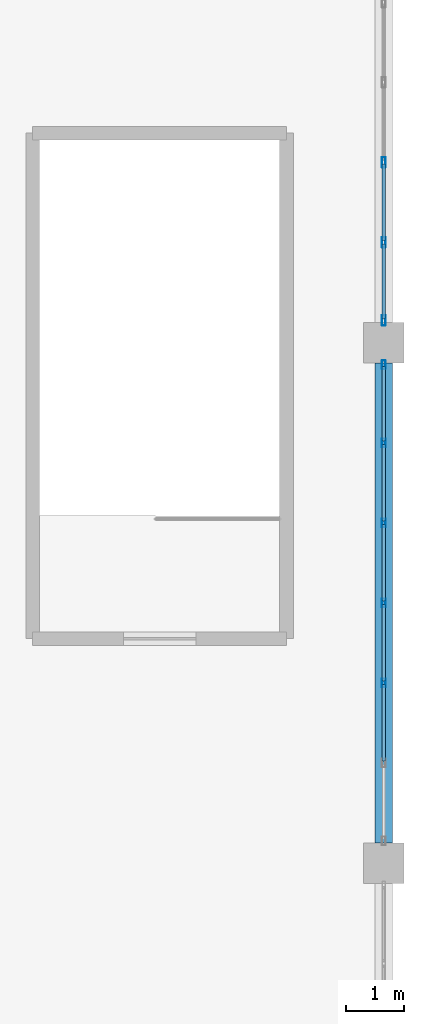
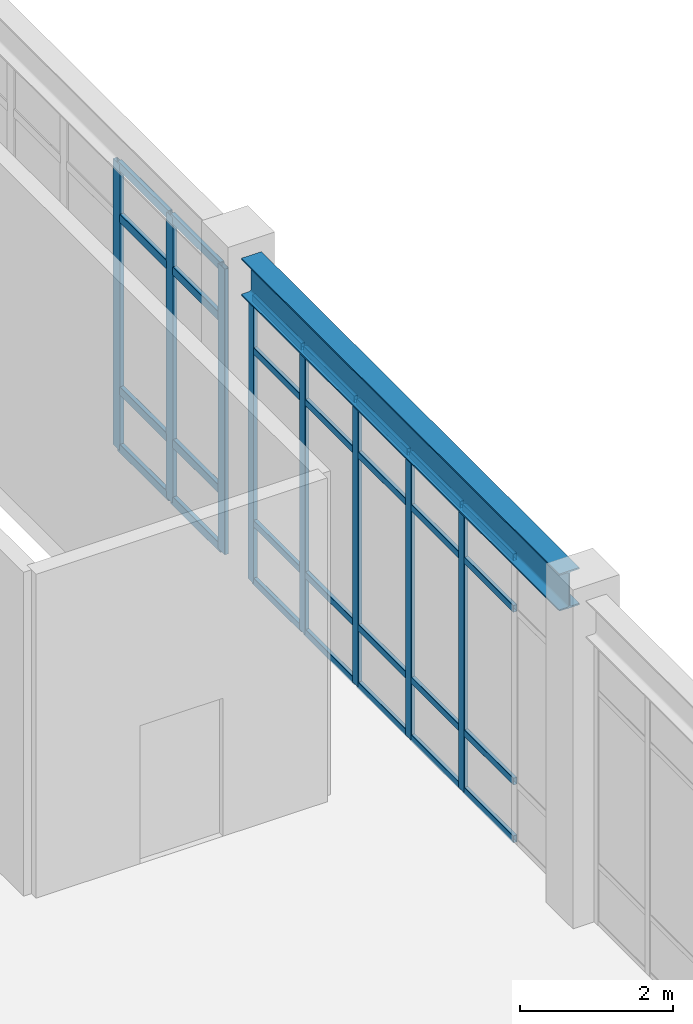
# One storey, part 49 of 80: 36 members, 1 beam, 2 elements without a shape of their own.
"""IFC4 building model written with IfcOpenShell, lengths in metres."""

import ifcopenshell
import ifcopenshell.guid

model = None  # the IFC model being written
_history = None  # IfcOwnerHistory: only IFC2X3 demands one
_inside = {}  # id of a spatial element -> (the spatial element, [elements in it])
_under = {}  # id of a project, library or spatial element -> (it, [spatial elements below it])
_declared = {}  # id of a project -> (the project, [libraries it declares])
_typed = {}  # id of a type object -> (the type object, [elements of that type])
_made_of = {}  # id of a material, layer set ... -> (it, [elements and type objects made of it])


def new_model(schema):
    """Start an empty IFC model of exactly this schema.

    Asked for "IFC4X3", IfcOpenShell would pick the latest addendum, in which some entities
    have other attributes; the version numbers below select the first issue.
    IFC2X3 requires an IfcOwnerHistory on every rooted entity: one is made here for all.
    """
    global model, _history
    if schema == "IFC4X3":
        model = ifcopenshell.file(schema_version=(4, 3, 0, 0))
    else:
        model = ifcopenshell.file(schema=schema)
    _inside.clear()
    _under.clear()
    _declared.clear()
    _typed.clear()
    _made_of.clear()
    _history = None
    if model.schema == "IFC2X3":
        org = make("IfcOrganization", Name="unknown")
        user = make(
            "IfcPersonAndOrganization",
            ThePerson=make("IfcPerson", FamilyName="unknown"),
            TheOrganization=org,
        )
        app = make(
            "IfcApplication",
            ApplicationDeveloper=org,
            Version="unknown",
            ApplicationFullName="unknown",
            ApplicationIdentifier="unknown",
        )
        _history = make(
            "IfcOwnerHistory",
            OwningUser=user,
            OwningApplication=app,
            ChangeAction="ADDED",
            CreationDate=0,
        )
    return model


def make(cls, **values):
    """One entity of the class cls with the attributes given. An attribute that is None is left unset."""
    return model.create_entity(
        cls, **{name: value for name, value in values.items() if value is not None}
    )


def rooted(cls, **values):
    """An entity with a GlobalId (a new one), such as an element, a storey or a relation."""
    return make(cls, GlobalId=ifcopenshell.guid.new(), OwnerHistory=_history, **values)


def si_unit(unit_type, name, prefix=None):
    """IfcSIUnit, for example si_unit("LENGTHUNIT", "METRE", prefix="MILLI")."""
    return make("IfcSIUnit", UnitType=unit_type, Prefix=prefix, Name=name)


def assignment(units):
    """IfcUnitAssignment: the units of a project."""
    return None if units is None else make("IfcUnitAssignment", Units=units)


def point(xyz):
    """IfcCartesianPoint."""
    return None if xyz is None else make("IfcCartesianPoint", Coordinates=xyz)


def direction(xyz):
    """IfcDirection."""
    return None if xyz is None else make("IfcDirection", DirectionRatios=xyz)


def frame(location, z_axis=None, x_axis=None):
    """IfcAxis2Placement3D, a coordinate frame: its origin and axes. An axis left out is left unset."""
    return make(
        "IfcAxis2Placement3D",
        Location=point(location),
        Axis=direction(z_axis),
        RefDirection=direction(x_axis),
    )


def frame_2d(location, x_axis=None):
    """IfcAxis2Placement2D, a coordinate frame in the plane: its origin and x axis."""
    return make(
        "IfcAxis2Placement2D", Location=point(location), RefDirection=direction(x_axis)
    )


def origin():
    """The frame at (0, 0, 0) with its axes left unset."""
    return frame((0.0, 0.0, 0.0))


def origin_2d():
    """The frame at (0, 0) in the plane with its x axis left unset."""
    return frame_2d((0.0, 0.0))


def place(relative_to, where):
    """IfcLocalPlacement: puts the frame where relative to a parent placement (None: the world)."""
    return make(
        "IfcLocalPlacement", PlacementRelTo=relative_to, RelativePlacement=where
    )


def context(
    kind, dimensions, precision=None, world=None, true_north=None, identifier=None
):
    """IfcGeometricRepresentationContext, for example the 3D "Model" context."""
    return make(
        "IfcGeometricRepresentationContext",
        ContextIdentifier=identifier,
        ContextType=kind,
        CoordinateSpaceDimension=dimensions,
        Precision=precision,
        WorldCoordinateSystem=world,
        TrueNorth=true_north,
    )


def subcontext(parent, identifier, kind, view, scale=None):
    """IfcGeometricRepresentationSubContext, for example "Body" below "Model"."""
    return make(
        "IfcGeometricRepresentationSubContext",
        ContextIdentifier=identifier,
        ContextType=kind,
        ParentContext=parent,
        TargetScale=scale,
        TargetView=view,
    )


def project(units=None, contexts=None):
    """IfcProject with its units and contexts."""
    return rooted(
        "IfcProject",
        Name="project",
        RepresentationContexts=contexts,
        UnitsInContext=assignment(units),
    )


def spatial(cls, under=None, at=None, **own):
    """A site, building, storey or space (cls), placed at a placement, below another one or the project."""
    s = rooted(cls, ObjectPlacement=at, **own)
    if under is not None:
        _under.setdefault(under.id(), (under, []))[1].append(s)
    return s


def profile(cls, at=None, kind="AREA", **sizes):
    """A parametric profile (cls). Its sizes go by their IFC names, for example OverallWidth=200.0."""
    return make(cls, ProfileType=kind, Position=at, **sizes)


def hollow_rectangle(**sizes):
    """IfcRectangleHollowProfileDef."""
    return profile("IfcRectangleHollowProfileDef", **sizes)


def i_section(**sizes):
    """IfcIShapeProfileDef."""
    return profile("IfcIShapeProfileDef", **sizes)


def extrude(swept, where, along, depth):
    """IfcExtrudedAreaSolid: the profile swept, set in the frame where, extruded along a direction by depth."""
    return make(
        "IfcExtrudedAreaSolid",
        SweptArea=swept,
        Position=where,
        ExtrudedDirection=direction(along),
        Depth=depth,
    )


def shape(context_of_items, identifier, shape_type, items):
    """IfcShapeRepresentation: the items that make up one representation, for example the "Body"."""
    return make(
        "IfcShapeRepresentation",
        ContextOfItems=context_of_items,
        RepresentationIdentifier=identifier,
        RepresentationType=shape_type,
        Items=items,
    )


def material(Name=None, Category=None):
    """IfcMaterial."""
    return make("IfcMaterial", Name=Name, Category=Category)


def material_profile(
    of_material, cross_section, Name=None, Category=None, Priority=None
):
    """IfcMaterialProfile: a cross section and its material."""
    return make(
        "IfcMaterialProfile",
        Name=Name,
        Material=of_material,
        Profile=cross_section,
        Priority=Priority,
        Category=Category,
    )


def profile_set(profiles, Name=None, composite=None):
    """IfcMaterialProfileSet."""
    return make(
        "IfcMaterialProfileSet",
        Name=Name,
        MaterialProfiles=profiles,
        CompositeProfile=composite,
    )


def made_of(thing, what):
    """Note that an element or type object is made of a material, layer set ...; save() writes the relation."""
    if what is not None:
        _made_of.setdefault(what.id(), (what, []))[1].append(thing)
    return thing


def type_object(cls, material=None, **own):
    """A type object (cls), such as IfcWallType, which elements share."""
    return made_of(rooted(cls, **own), material)


def element(
    cls,
    number,
    at=None,
    inside=None,
    cuts=None,
    type_object=None,
    material=None,
    context=None,
    identifier="Body",
    shape_type=None,
    held_by="IfcProductDefinitionShape",
    body=None,
    shapes=None,
    **own,
):
    """One element of the class cls, such as IfcWall. Its Tag is "e" and its number.

    at: its placement. inside: the storey or other place that contains it. cuts: it is an
    opening in that element (IfcRelVoidsElement). A single representation is given by context,
    identifier, shape_type and body (its items); several are given by shapes. held_by: the class
    of the entity that holds the representations. save() writes the other relations.
    """
    e = rooted(cls, Tag="e%d" % number, ObjectPlacement=at, **own)
    if body is not None:
        shapes = [shape(context, identifier, shape_type, body)]
    if shapes is not None:
        e.Representation = make(held_by, Representations=shapes)
    if inside is not None:
        _inside.setdefault(inside.id(), (inside, []))[1].append(e)
    if cuts is not None:
        rooted(
            "IfcRelVoidsElement", RelatingBuildingElement=cuts, RelatedOpeningElement=e
        )
    if type_object is not None:
        _typed.setdefault(type_object.id(), (type_object, []))[1].append(e)
    return made_of(e, material)


def aggregate(whole, parts):
    """IfcRelAggregates: a whole, such as a stair, and the parts it consists of."""
    return rooted("IfcRelAggregates", RelatingObject=whole, RelatedObjects=parts)


def save(model, path):
    """Write the relations noted so far, then the file.

    IfcRelAggregates (storeys below a building ...), IfcRelContainedInSpatialStructure (elements
    in a storey), IfcRelDefinesByType, IfcRelAssociatesMaterial and IfcRelDeclares: one each for
    every whole, place, type object, material and project.
    """
    for whole, parts in _under.values():
        aggregate(whole, parts)
    for where, things in _inside.values():
        rooted(
            "IfcRelContainedInSpatialStructure",
            RelatedElements=things,
            RelatingStructure=where,
        )
    for kind, things in _typed.values():
        rooted("IfcRelDefinesByType", RelatedObjects=things, RelatingType=kind)
    for what, things in _made_of.values():
        rooted("IfcRelAssociatesMaterial", RelatedObjects=things, RelatingMaterial=what)
    for by, libraries in _declared.values():
        rooted("IfcRelDeclares", RelatingContext=by, RelatedDefinitions=libraries)
    model.write(path)


model = new_model("IFC4")

# Units and contexts
model_context = context("Model", 3, precision=1e-05, world=origin(), true_north=direction((0.0, 1.0)))
body_context = subcontext(model_context, "Body", "Model", "MODEL_VIEW")
ifc_project = project(units=[si_unit("LENGTHUNIT", "METRE"), si_unit("AREAUNIT", "SQUARE_METRE"), si_unit("VOLUMEUNIT", "CUBIC_METRE"), si_unit("PLANEANGLEUNIT", "RADIAN"), si_unit("MASSUNIT", "GRAM", prefix="KILO")], contexts=[model_context])

# Site, building, storey
site_placement = place(None, origin())
site = spatial("IfcSite", under=ifc_project, at=site_placement, CompositionType="ELEMENT")
building_placement = place(site_placement, origin())
building = spatial("IfcBuilding", under=site, at=building_placement, Name="Canglan Escarpment Cableway Terminal", CompositionType="ELEMENT")
storey_placement = place(building_placement, frame((0.0, 0.0, 19.199951171875)))
storey = spatial("IfcBuildingStorey", under=building, at=storey_placement, Name="L04", CompositionType="ELEMENT", Elevation=19.199951171875)

# Beam
ifc_material_1 = material(Name="Steel Q355C", Category="steel")
ifc_material_profile_1 = material_profile(ifc_material_1, i_section(OverallWidth=0.302001953125, OverallDepth=0.593994140625, WebThickness=0.013916015625, FlangeThickness=0.02294921875, FilletRadius=0.028076171875, at=origin_2d()), Name="HM 594x302x14x23")
ifc_profile_set_1 = profile_set([ifc_material_profile_1], Name="Steel Q355C")
beam_type = type_object("IfcBeamType", Name="BM-HM594", PredefinedType="BEAM", material=ifc_profile_set_1)
beam_placement = place(storey_placement, frame((166.39990234375, 88.35009765625, 4.863037109375), z_axis=(0.0, 1.0, 0.0), x_axis=(-1.0, 0.0, 0.0)))
element("IfcBeam", 1, at=beam_placement, inside=storey, type_object=beam_type, Name="Primary transverse girder B-07", PredefinedType="BEAM", context=body_context, shape_type="SweptSolid", body=[
    extrude(i_section(OverallWidth=0.302001953125, OverallDepth=0.593994140625, WebThickness=0.013916015625, FlangeThickness=0.02294921875, FilletRadius=0.028076171875, at=origin_2d()), origin(), (0.0, 0.0, 1.0), 8.2998046875),
])

# Curtain wall, members
ifc_material_2 = material(Name="Anodized bronze aluminium and Low-E double glazing", Category="aluminium")
curtain_wall_type = type_object("IfcCurtainWallType", Name="CW-BAY-8300x4550", PredefinedType="NOTDEFINED", material=ifc_material_2)
curtain_wall_1_placement = place(storey_placement, origin())
curtain_wall_1 = element("IfcCurtainWall", 2, at=curtain_wall_1_placement, inside=storey, type_object=curtain_wall_type, Name="Classical bay-between-piers glazed curtain wall CW-64", PredefinedType="NOTDEFINED")
ifc_material_3 = material(Name="Thermally broken anodized aluminium 6063-T6", Category="aluminium")
ifc_material_profile_2 = material_profile(ifc_material_3, hollow_rectangle(XDim=0.06494140625, YDim=0.14990234375, WallThickness=0.00341796875, InnerFilletRadius=0.00341796875, OuterFilletRadius=0.007080078125, at=origin_2d()), Name="ALU-MULL 65x150x3.5")
ifc_profile_set_2 = profile_set([ifc_material_profile_2], Name="Thermally broken anodized aluminium 6063-T6")
member_type_1 = type_object("IfcMemberType", Name="CWM-02", PredefinedType="MULLION", material=ifc_profile_set_2)
member_1_placement = place(storey_placement, frame((166.39990234375, 91.11669921875, 0.0), z_axis=(0.0, 0.0, 1.0), x_axis=(-1.0, 0.0, 0.0)))
member_1 = element("IfcMember", 3, at=member_1_placement, type_object=member_type_1, Name="CW-64 mullion 3", PredefinedType="MULLION", context=body_context, shape_type="SweptSolid", body=[
    extrude(hollow_rectangle(XDim=0.06494140625, YDim=0.14990234375, WallThickness=0.00341796875, InnerFilletRadius=0.00341796875, OuterFilletRadius=0.007080078125, at=origin_2d()), origin(), (0.0, 0.0, 1.0), 4.551025390625),
])
member_2_placement = place(storey_placement, frame((166.39990234375, 92.5, 0.0), z_axis=(0.0, 0.0, 1.0), x_axis=(-1.0, 0.0, 0.0)))
member_2 = element("IfcMember", 4, at=member_2_placement, type_object=member_type_1, Name="CW-64 mullion 4", PredefinedType="MULLION", context=body_context, shape_type="SweptSolid", body=[
    extrude(hollow_rectangle(XDim=0.06494140625, YDim=0.14990234375, WallThickness=0.00341796875, InnerFilletRadius=0.00341796875, OuterFilletRadius=0.007080078125, at=origin_2d()), origin(), (0.0, 0.0, 1.0), 4.551025390625),
])
member_3_placement = place(storey_placement, frame((166.39990234375, 93.88330078125, 0.0), z_axis=(0.0, 0.0, 1.0), x_axis=(-1.0, 0.0, 0.0)))
member_3 = element("IfcMember", 5, at=member_3_placement, type_object=member_type_1, Name="CW-64 mullion 5", PredefinedType="MULLION", context=body_context, shape_type="SweptSolid", body=[
    extrude(hollow_rectangle(XDim=0.06494140625, YDim=0.14990234375, WallThickness=0.00341796875, InnerFilletRadius=0.00341796875, OuterFilletRadius=0.007080078125, at=origin_2d()), origin(), (0.0, 0.0, 1.0), 4.551025390625),
])
member_4_placement = place(storey_placement, frame((166.39990234375, 95.2666015625, 0.0), z_axis=(0.0, 0.0, 1.0), x_axis=(-1.0, 0.0, 0.0)))
member_4 = element("IfcMember", 6, at=member_4_placement, type_object=member_type_1, Name="CW-64 mullion 6", PredefinedType="MULLION", context=body_context, shape_type="SweptSolid", body=[
    extrude(hollow_rectangle(XDim=0.06494140625, YDim=0.14990234375, WallThickness=0.00341796875, InnerFilletRadius=0.00341796875, OuterFilletRadius=0.007080078125, at=origin_2d()), origin(), (0.0, 0.0, 1.0), 4.551025390625),
])
member_5_placement = place(storey_placement, frame((166.39990234375, 96.617431640625, 0.0), z_axis=(0.0, 0.0, 1.0), x_axis=(-1.0, 0.0, 0.0)))
member_5 = element("IfcMember", 7, at=member_5_placement, type_object=member_type_1, Name="CW-64 mullion 7", PredefinedType="MULLION", context=body_context, shape_type="SweptSolid", body=[
    extrude(hollow_rectangle(XDim=0.06494140625, YDim=0.14990234375, WallThickness=0.00341796875, InnerFilletRadius=0.00341796875, OuterFilletRadius=0.007080078125, at=origin_2d()), origin(), (0.0, 0.0, 1.0), 4.551025390625),
])

curtain_wall_2_placement = place(storey_placement, origin())
curtain_wall_2 = element("IfcCurtainWall", 8, at=curtain_wall_2_placement, inside=storey, type_object=curtain_wall_type, Name="Classical bay-between-piers glazed curtain wall CW-64", PredefinedType="NOTDEFINED")
ifc_material_profile_3 = material_profile(ifc_material_3, hollow_rectangle(XDim=0.06494140625, YDim=0.179931640625, WallThickness=0.00390625, InnerFilletRadius=0.00390625, OuterFilletRadius=0.008056640625, at=origin_2d()), Name="ALU-MULL 65x180x4")
ifc_profile_set_3 = profile_set([ifc_material_profile_3], Name="Thermally broken anodized aluminium 6063-T6")
member_type_2 = type_object("IfcMemberType", Name="CWM-03", PredefinedType="MULLION", material=ifc_profile_set_3)
member_6_placement = place(storey_placement, frame((166.39990234375, 97.382568359375, 0.0), z_axis=(0.0, 0.0, 1.0), x_axis=(-1.0, 0.0, 0.0)))
member_6 = element("IfcMember", 9, at=member_6_placement, type_object=member_type_2, Name="CW-64 mullion 1", PredefinedType="MULLION", context=body_context, shape_type="SweptSolid", body=[
    extrude(hollow_rectangle(XDim=0.06494140625, YDim=0.179931640625, WallThickness=0.00390625, InnerFilletRadius=0.00390625, OuterFilletRadius=0.008056640625, at=origin_2d()), origin(), (0.0, 0.0, 1.0), 4.551025390625),
])
member_7_placement = place(storey_placement, frame((166.39990234375, 98.7333984375, 0.0), z_axis=(0.0, 0.0, 1.0), x_axis=(-1.0, 0.0, 0.0)))
member_7 = element("IfcMember", 10, at=member_7_placement, type_object=member_type_2, Name="CW-64 mullion 2", PredefinedType="MULLION", context=body_context, shape_type="SweptSolid", body=[
    extrude(hollow_rectangle(XDim=0.06494140625, YDim=0.179931640625, WallThickness=0.00390625, InnerFilletRadius=0.00390625, OuterFilletRadius=0.008056640625, at=origin_2d()), origin(), (0.0, 0.0, 1.0), 4.551025390625),
])
member_8_placement = place(storey_placement, frame((166.39990234375, 100.11669921875, 0.0), z_axis=(0.0, 0.0, 1.0), x_axis=(-1.0, 0.0, 0.0)))
member_8 = element("IfcMember", 11, at=member_8_placement, type_object=member_type_2, Name="CW-64 mullion 3", PredefinedType="MULLION", context=body_context, shape_type="SweptSolid", body=[
    extrude(hollow_rectangle(XDim=0.06494140625, YDim=0.179931640625, WallThickness=0.00390625, InnerFilletRadius=0.00390625, OuterFilletRadius=0.008056640625, at=origin_2d()), origin(), (0.0, 0.0, 1.0), 4.551025390625),
])

# Member
ifc_material_profile_4 = material_profile(ifc_material_3, hollow_rectangle(XDim=0.06005859375, YDim=0.110107421875, WallThickness=0.0029296875, InnerFilletRadius=0.0029296875, OuterFilletRadius=0.006103515625, at=origin_2d()), Name="ALU-TRAN 60x110x3")
ifc_profile_set_4 = profile_set([ifc_material_profile_4], Name="Thermally broken anodized aluminium 6063-T6")
member_type_3 = type_object("IfcMemberType", Name="CWT-02", PredefinedType="USERDEFINED", material=ifc_profile_set_4)
member_9_placement = place(storey_placement, frame((166.39990234375, 89.765869140625, 0.030029296875), z_axis=(0.0, 1.0, 0.0), x_axis=(-1.0, 0.0, 0.0)))
member_9 = element("IfcMember", 12, at=member_9_placement, type_object=member_type_3, Name="CW-64 transom 2.1", ObjectType="TRANSOM", PredefinedType="USERDEFINED", context=body_context, shape_type="SweptSolid", body=[
    extrude(hollow_rectangle(XDim=0.06005859375, YDim=0.110107421875, WallThickness=0.0029296875, InnerFilletRadius=0.0029296875, OuterFilletRadius=0.006103515625, at=origin_2d()), origin(), (0.0, 0.0, 1.0), 1.318359375),
])

member_10_placement = place(storey_placement, frame((166.39990234375, 89.765869140625, 0.949951171875), z_axis=(0.0, 1.0, 0.0), x_axis=(-1.0, 0.0, 0.0)))
member_10 = element("IfcMember", 13, at=member_10_placement, type_object=member_type_3, Name="CW-64 transom 2.2", ObjectType="TRANSOM", PredefinedType="USERDEFINED", context=body_context, shape_type="SweptSolid", body=[
    extrude(hollow_rectangle(XDim=0.06005859375, YDim=0.110107421875, WallThickness=0.0029296875, InnerFilletRadius=0.0029296875, OuterFilletRadius=0.006103515625, at=origin_2d()), origin(), (0.0, 0.0, 1.0), 1.318359375),
])

member_11_placement = place(storey_placement, frame((166.39990234375, 89.765869140625, 3.700927734375), z_axis=(0.0, 1.0, 0.0), x_axis=(-1.0, 0.0, 0.0)))
member_11 = element("IfcMember", 14, at=member_11_placement, type_object=member_type_3, Name="CW-64 transom 2.3", ObjectType="TRANSOM", PredefinedType="USERDEFINED", context=body_context, shape_type="SweptSolid", body=[
    extrude(hollow_rectangle(XDim=0.06005859375, YDim=0.110107421875, WallThickness=0.0029296875, InnerFilletRadius=0.0029296875, OuterFilletRadius=0.006103515625, at=origin_2d()), origin(), (0.0, 0.0, 1.0), 1.318359375),
])

member_12_placement = place(storey_placement, frame((166.39990234375, 89.765869140625, 4.52099609375), z_axis=(0.0, 1.0, 0.0), x_axis=(-1.0, 0.0, 0.0)))
member_12 = element("IfcMember", 15, at=member_12_placement, type_object=member_type_3, Name="CW-64 transom 2.4", ObjectType="TRANSOM", PredefinedType="USERDEFINED", context=body_context, shape_type="SweptSolid", body=[
    extrude(hollow_rectangle(XDim=0.06005859375, YDim=0.110107421875, WallThickness=0.0029296875, InnerFilletRadius=0.0029296875, OuterFilletRadius=0.006103515625, at=origin_2d()), origin(), (0.0, 0.0, 1.0), 1.318359375),
])

member_13_placement = place(storey_placement, frame((166.39990234375, 91.149169921875, 0.030029296875), z_axis=(0.0, 1.0, 0.0), x_axis=(-1.0, 0.0, 0.0)))
member_13 = element("IfcMember", 16, at=member_13_placement, type_object=member_type_3, Name="CW-64 transom 3.1", ObjectType="TRANSOM", PredefinedType="USERDEFINED", context=body_context, shape_type="SweptSolid", body=[
    extrude(hollow_rectangle(XDim=0.06005859375, YDim=0.110107421875, WallThickness=0.0029296875, InnerFilletRadius=0.0029296875, OuterFilletRadius=0.006103515625, at=origin_2d()), origin(), (0.0, 0.0, 1.0), 1.318359375),
])

member_14_placement = place(storey_placement, frame((166.39990234375, 91.149169921875, 0.949951171875), z_axis=(0.0, 1.0, 0.0), x_axis=(-1.0, 0.0, 0.0)))
member_14 = element("IfcMember", 17, at=member_14_placement, type_object=member_type_3, Name="CW-64 transom 3.2", ObjectType="TRANSOM", PredefinedType="USERDEFINED", context=body_context, shape_type="SweptSolid", body=[
    extrude(hollow_rectangle(XDim=0.06005859375, YDim=0.110107421875, WallThickness=0.0029296875, InnerFilletRadius=0.0029296875, OuterFilletRadius=0.006103515625, at=origin_2d()), origin(), (0.0, 0.0, 1.0), 1.318359375),
])

member_15_placement = place(storey_placement, frame((166.39990234375, 91.149169921875, 3.700927734375), z_axis=(0.0, 1.0, 0.0), x_axis=(-1.0, 0.0, 0.0)))
member_15 = element("IfcMember", 18, at=member_15_placement, type_object=member_type_3, Name="CW-64 transom 3.3", ObjectType="TRANSOM", PredefinedType="USERDEFINED", context=body_context, shape_type="SweptSolid", body=[
    extrude(hollow_rectangle(XDim=0.06005859375, YDim=0.110107421875, WallThickness=0.0029296875, InnerFilletRadius=0.0029296875, OuterFilletRadius=0.006103515625, at=origin_2d()), origin(), (0.0, 0.0, 1.0), 1.318359375),
])

member_16_placement = place(storey_placement, frame((166.39990234375, 91.149169921875, 4.52099609375), z_axis=(0.0, 1.0, 0.0), x_axis=(-1.0, 0.0, 0.0)))
member_16 = element("IfcMember", 19, at=member_16_placement, type_object=member_type_3, Name="CW-64 transom 3.4", ObjectType="TRANSOM", PredefinedType="USERDEFINED", context=body_context, shape_type="SweptSolid", body=[
    extrude(hollow_rectangle(XDim=0.06005859375, YDim=0.110107421875, WallThickness=0.0029296875, InnerFilletRadius=0.0029296875, OuterFilletRadius=0.006103515625, at=origin_2d()), origin(), (0.0, 0.0, 1.0), 1.318359375),
])

member_17_placement = place(storey_placement, frame((166.39990234375, 92.532470703125, 0.030029296875), z_axis=(0.0, 1.0, 0.0), x_axis=(-1.0, 0.0, 0.0)))
member_17 = element("IfcMember", 20, at=member_17_placement, type_object=member_type_3, Name="CW-64 transom 4.1", ObjectType="TRANSOM", PredefinedType="USERDEFINED", context=body_context, shape_type="SweptSolid", body=[
    extrude(hollow_rectangle(XDim=0.06005859375, YDim=0.110107421875, WallThickness=0.0029296875, InnerFilletRadius=0.0029296875, OuterFilletRadius=0.006103515625, at=origin_2d()), origin(), (0.0, 0.0, 1.0), 1.318359375),
])

member_18_placement = place(storey_placement, frame((166.39990234375, 92.532470703125, 0.949951171875), z_axis=(0.0, 1.0, 0.0), x_axis=(-1.0, 0.0, 0.0)))
member_18 = element("IfcMember", 21, at=member_18_placement, type_object=member_type_3, Name="CW-64 transom 4.2", ObjectType="TRANSOM", PredefinedType="USERDEFINED", context=body_context, shape_type="SweptSolid", body=[
    extrude(hollow_rectangle(XDim=0.06005859375, YDim=0.110107421875, WallThickness=0.0029296875, InnerFilletRadius=0.0029296875, OuterFilletRadius=0.006103515625, at=origin_2d()), origin(), (0.0, 0.0, 1.0), 1.318359375),
])

member_19_placement = place(storey_placement, frame((166.39990234375, 92.532470703125, 3.700927734375), z_axis=(0.0, 1.0, 0.0), x_axis=(-1.0, 0.0, 0.0)))
member_19 = element("IfcMember", 22, at=member_19_placement, type_object=member_type_3, Name="CW-64 transom 4.3", ObjectType="TRANSOM", PredefinedType="USERDEFINED", context=body_context, shape_type="SweptSolid", body=[
    extrude(hollow_rectangle(XDim=0.06005859375, YDim=0.110107421875, WallThickness=0.0029296875, InnerFilletRadius=0.0029296875, OuterFilletRadius=0.006103515625, at=origin_2d()), origin(), (0.0, 0.0, 1.0), 1.318359375),
])

member_20_placement = place(storey_placement, frame((166.39990234375, 92.532470703125, 4.52099609375), z_axis=(0.0, 1.0, 0.0), x_axis=(-1.0, 0.0, 0.0)))
member_20 = element("IfcMember", 23, at=member_20_placement, type_object=member_type_3, Name="CW-64 transom 4.4", ObjectType="TRANSOM", PredefinedType="USERDEFINED", context=body_context, shape_type="SweptSolid", body=[
    extrude(hollow_rectangle(XDim=0.06005859375, YDim=0.110107421875, WallThickness=0.0029296875, InnerFilletRadius=0.0029296875, OuterFilletRadius=0.006103515625, at=origin_2d()), origin(), (0.0, 0.0, 1.0), 1.318359375),
])

member_21_placement = place(storey_placement, frame((166.39990234375, 93.915771484375, 0.030029296875), z_axis=(0.0, 1.0, 0.0), x_axis=(-1.0, 0.0, 0.0)))
member_21 = element("IfcMember", 24, at=member_21_placement, type_object=member_type_3, Name="CW-64 transom 5.1", ObjectType="TRANSOM", PredefinedType="USERDEFINED", context=body_context, shape_type="SweptSolid", body=[
    extrude(hollow_rectangle(XDim=0.06005859375, YDim=0.110107421875, WallThickness=0.0029296875, InnerFilletRadius=0.0029296875, OuterFilletRadius=0.006103515625, at=origin_2d()), origin(), (0.0, 0.0, 1.0), 1.318359375),
])

member_22_placement = place(storey_placement, frame((166.39990234375, 93.915771484375, 0.949951171875), z_axis=(0.0, 1.0, 0.0), x_axis=(-1.0, 0.0, 0.0)))
member_22 = element("IfcMember", 25, at=member_22_placement, type_object=member_type_3, Name="CW-64 transom 5.2", ObjectType="TRANSOM", PredefinedType="USERDEFINED", context=body_context, shape_type="SweptSolid", body=[
    extrude(hollow_rectangle(XDim=0.06005859375, YDim=0.110107421875, WallThickness=0.0029296875, InnerFilletRadius=0.0029296875, OuterFilletRadius=0.006103515625, at=origin_2d()), origin(), (0.0, 0.0, 1.0), 1.318359375),
])

member_23_placement = place(storey_placement, frame((166.39990234375, 93.915771484375, 3.700927734375), z_axis=(0.0, 1.0, 0.0), x_axis=(-1.0, 0.0, 0.0)))
member_23 = element("IfcMember", 26, at=member_23_placement, type_object=member_type_3, Name="CW-64 transom 5.3", ObjectType="TRANSOM", PredefinedType="USERDEFINED", context=body_context, shape_type="SweptSolid", body=[
    extrude(hollow_rectangle(XDim=0.06005859375, YDim=0.110107421875, WallThickness=0.0029296875, InnerFilletRadius=0.0029296875, OuterFilletRadius=0.006103515625, at=origin_2d()), origin(), (0.0, 0.0, 1.0), 1.318359375),
])

member_24_placement = place(storey_placement, frame((166.39990234375, 93.915771484375, 4.52099609375), z_axis=(0.0, 1.0, 0.0), x_axis=(-1.0, 0.0, 0.0)))
member_24 = element("IfcMember", 27, at=member_24_placement, type_object=member_type_3, Name="CW-64 transom 5.4", ObjectType="TRANSOM", PredefinedType="USERDEFINED", context=body_context, shape_type="SweptSolid", body=[
    extrude(hollow_rectangle(XDim=0.06005859375, YDim=0.110107421875, WallThickness=0.0029296875, InnerFilletRadius=0.0029296875, OuterFilletRadius=0.006103515625, at=origin_2d()), origin(), (0.0, 0.0, 1.0), 1.318359375),
])

member_25_placement = place(storey_placement, frame((166.39990234375, 95.299072265625, 0.030029296875), z_axis=(0.0, 1.0, 0.0), x_axis=(-1.0, 0.0, 0.0)))
member_25 = element("IfcMember", 28, at=member_25_placement, type_object=member_type_3, Name="CW-64 transom 6.1", ObjectType="TRANSOM", PredefinedType="USERDEFINED", context=body_context, shape_type="SweptSolid", body=[
    extrude(hollow_rectangle(XDim=0.06005859375, YDim=0.110107421875, WallThickness=0.0029296875, InnerFilletRadius=0.0029296875, OuterFilletRadius=0.006103515625, at=origin_2d()), origin(), (0.0, 0.0, 1.0), 1.285888671875),
])

member_26_placement = place(storey_placement, frame((166.39990234375, 95.299072265625, 0.949951171875), z_axis=(0.0, 1.0, 0.0), x_axis=(-1.0, 0.0, 0.0)))
member_26 = element("IfcMember", 29, at=member_26_placement, type_object=member_type_3, Name="CW-64 transom 6.2", ObjectType="TRANSOM", PredefinedType="USERDEFINED", context=body_context, shape_type="SweptSolid", body=[
    extrude(hollow_rectangle(XDim=0.06005859375, YDim=0.110107421875, WallThickness=0.0029296875, InnerFilletRadius=0.0029296875, OuterFilletRadius=0.006103515625, at=origin_2d()), origin(), (0.0, 0.0, 1.0), 1.285888671875),
])

member_27_placement = place(storey_placement, frame((166.39990234375, 95.299072265625, 3.700927734375), z_axis=(0.0, 1.0, 0.0), x_axis=(-1.0, 0.0, 0.0)))
member_27 = element("IfcMember", 30, at=member_27_placement, type_object=member_type_3, Name="CW-64 transom 6.3", ObjectType="TRANSOM", PredefinedType="USERDEFINED", context=body_context, shape_type="SweptSolid", body=[
    extrude(hollow_rectangle(XDim=0.06005859375, YDim=0.110107421875, WallThickness=0.0029296875, InnerFilletRadius=0.0029296875, OuterFilletRadius=0.006103515625, at=origin_2d()), origin(), (0.0, 0.0, 1.0), 1.285888671875),
])

member_28_placement = place(storey_placement, frame((166.39990234375, 95.299072265625, 4.52099609375), z_axis=(0.0, 1.0, 0.0), x_axis=(-1.0, 0.0, 0.0)))
member_28 = element("IfcMember", 31, at=member_28_placement, type_object=member_type_3, Name="CW-64 transom 6.4", ObjectType="TRANSOM", PredefinedType="USERDEFINED", context=body_context, shape_type="SweptSolid", body=[
    extrude(hollow_rectangle(XDim=0.06005859375, YDim=0.110107421875, WallThickness=0.0029296875, InnerFilletRadius=0.0029296875, OuterFilletRadius=0.006103515625, at=origin_2d()), origin(), (0.0, 0.0, 1.0), 1.285888671875),
])

aggregate(curtain_wall_1, [member_1, member_2, member_3, member_4, member_5, member_9, member_10, member_11, member_12, member_13, member_14, member_15, member_16, member_17, member_18, member_19, member_20, member_21, member_22, member_23, member_24, member_25, member_26, member_27, member_28])

ifc_material_profile_5 = material_profile(ifc_material_3, hollow_rectangle(XDim=0.06494140625, YDim=0.139892578125, WallThickness=0.00341796875, InnerFilletRadius=0.00341796875, OuterFilletRadius=0.007080078125, at=origin_2d()), Name="ALU-TRAN 65x140x3.5")
ifc_profile_set_5 = profile_set([ifc_material_profile_5], Name="Thermally broken anodized aluminium 6063-T6")
member_type_4 = type_object("IfcMemberType", Name="CWT-03", PredefinedType="USERDEFINED", material=ifc_profile_set_5)
member_29_placement = place(storey_placement, frame((166.39990234375, 97.4150390625, 0.032470703125), z_axis=(0.0, 1.0, 0.0), x_axis=(-1.0, 0.0, 0.0)))
member_29 = element("IfcMember", 32, at=member_29_placement, type_object=member_type_4, Name="CW-64 transom 1.1", ObjectType="TRANSOM", PredefinedType="USERDEFINED", context=body_context, shape_type="SweptSolid", body=[
    extrude(hollow_rectangle(XDim=0.06494140625, YDim=0.139892578125, WallThickness=0.00341796875, InnerFilletRadius=0.00341796875, OuterFilletRadius=0.007080078125, at=origin_2d()), origin(), (0.0, 0.0, 1.0), 1.285888671875),
])

member_30_placement = place(storey_placement, frame((166.39990234375, 97.4150390625, 0.949951171875), z_axis=(0.0, 1.0, 0.0), x_axis=(-1.0, 0.0, 0.0)))
member_30 = element("IfcMember", 33, at=member_30_placement, type_object=member_type_4, Name="CW-64 transom 1.2", ObjectType="TRANSOM", PredefinedType="USERDEFINED", context=body_context, shape_type="SweptSolid", body=[
    extrude(hollow_rectangle(XDim=0.06494140625, YDim=0.139892578125, WallThickness=0.00341796875, InnerFilletRadius=0.00341796875, OuterFilletRadius=0.007080078125, at=origin_2d()), origin(), (0.0, 0.0, 1.0), 1.285888671875),
])

member_31_placement = place(storey_placement, frame((166.39990234375, 97.4150390625, 3.700927734375), z_axis=(0.0, 1.0, 0.0), x_axis=(-1.0, 0.0, 0.0)))
member_31 = element("IfcMember", 34, at=member_31_placement, type_object=member_type_4, Name="CW-64 transom 1.3", ObjectType="TRANSOM", PredefinedType="USERDEFINED", context=body_context, shape_type="SweptSolid", body=[
    extrude(hollow_rectangle(XDim=0.06494140625, YDim=0.139892578125, WallThickness=0.00341796875, InnerFilletRadius=0.00341796875, OuterFilletRadius=0.007080078125, at=origin_2d()), origin(), (0.0, 0.0, 1.0), 1.285888671875),
])

member_32_placement = place(storey_placement, frame((166.39990234375, 97.4150390625, 4.5185546875), z_axis=(0.0, 1.0, 0.0), x_axis=(-1.0, 0.0, 0.0)))
member_32 = element("IfcMember", 35, at=member_32_placement, type_object=member_type_4, Name="CW-64 transom 1.4", ObjectType="TRANSOM", PredefinedType="USERDEFINED", context=body_context, shape_type="SweptSolid", body=[
    extrude(hollow_rectangle(XDim=0.06494140625, YDim=0.139892578125, WallThickness=0.00341796875, InnerFilletRadius=0.00341796875, OuterFilletRadius=0.007080078125, at=origin_2d()), origin(), (0.0, 0.0, 1.0), 1.285888671875),
])

member_33_placement = place(storey_placement, frame((166.39990234375, 98.765869140625, 0.032470703125), z_axis=(0.0, 1.0, 0.0), x_axis=(-1.0, 0.0, 0.0)))
member_33 = element("IfcMember", 36, at=member_33_placement, type_object=member_type_4, Name="CW-64 transom 2.1", ObjectType="TRANSOM", PredefinedType="USERDEFINED", context=body_context, shape_type="SweptSolid", body=[
    extrude(hollow_rectangle(XDim=0.06494140625, YDim=0.139892578125, WallThickness=0.00341796875, InnerFilletRadius=0.00341796875, OuterFilletRadius=0.007080078125, at=origin_2d()), origin(), (0.0, 0.0, 1.0), 1.318359375),
])

member_34_placement = place(storey_placement, frame((166.39990234375, 98.765869140625, 0.949951171875), z_axis=(0.0, 1.0, 0.0), x_axis=(-1.0, 0.0, 0.0)))
member_34 = element("IfcMember", 37, at=member_34_placement, type_object=member_type_4, Name="CW-64 transom 2.2", ObjectType="TRANSOM", PredefinedType="USERDEFINED", context=body_context, shape_type="SweptSolid", body=[
    extrude(hollow_rectangle(XDim=0.06494140625, YDim=0.139892578125, WallThickness=0.00341796875, InnerFilletRadius=0.00341796875, OuterFilletRadius=0.007080078125, at=origin_2d()), origin(), (0.0, 0.0, 1.0), 1.318359375),
])

member_35_placement = place(storey_placement, frame((166.39990234375, 98.765869140625, 3.700927734375), z_axis=(0.0, 1.0, 0.0), x_axis=(-1.0, 0.0, 0.0)))
member_35 = element("IfcMember", 38, at=member_35_placement, type_object=member_type_4, Name="CW-64 transom 2.3", ObjectType="TRANSOM", PredefinedType="USERDEFINED", context=body_context, shape_type="SweptSolid", body=[
    extrude(hollow_rectangle(XDim=0.06494140625, YDim=0.139892578125, WallThickness=0.00341796875, InnerFilletRadius=0.00341796875, OuterFilletRadius=0.007080078125, at=origin_2d()), origin(), (0.0, 0.0, 1.0), 1.318359375),
])

member_36_placement = place(storey_placement, frame((166.39990234375, 98.765869140625, 4.5185546875), z_axis=(0.0, 1.0, 0.0), x_axis=(-1.0, 0.0, 0.0)))
member_36 = element("IfcMember", 39, at=member_36_placement, type_object=member_type_4, Name="CW-64 transom 2.4", ObjectType="TRANSOM", PredefinedType="USERDEFINED", context=body_context, shape_type="SweptSolid", body=[
    extrude(hollow_rectangle(XDim=0.06494140625, YDim=0.139892578125, WallThickness=0.00341796875, InnerFilletRadius=0.00341796875, OuterFilletRadius=0.007080078125, at=origin_2d()), origin(), (0.0, 0.0, 1.0), 1.318359375),
])

aggregate(curtain_wall_2, [member_6, member_7, member_8, member_29, member_30, member_31, member_32, member_33, member_34, member_35, member_36])

save(model, "model.ifc")
